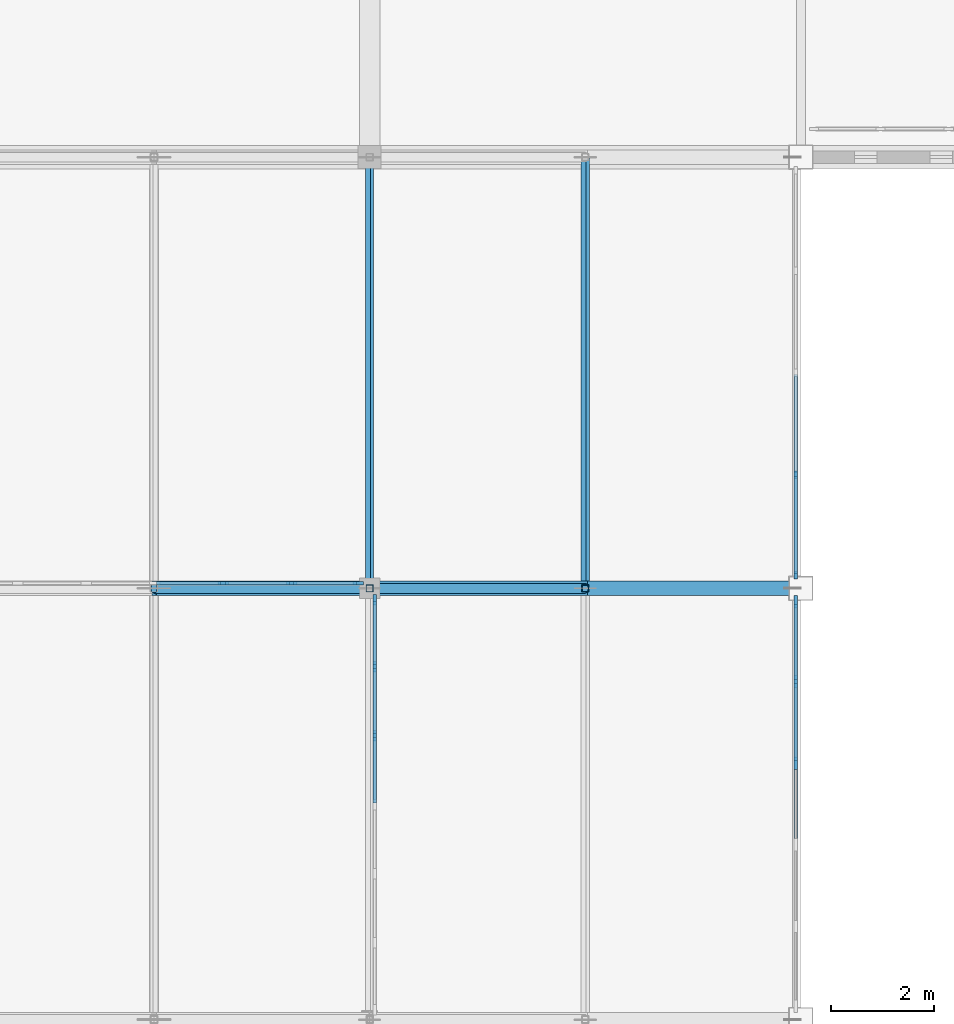
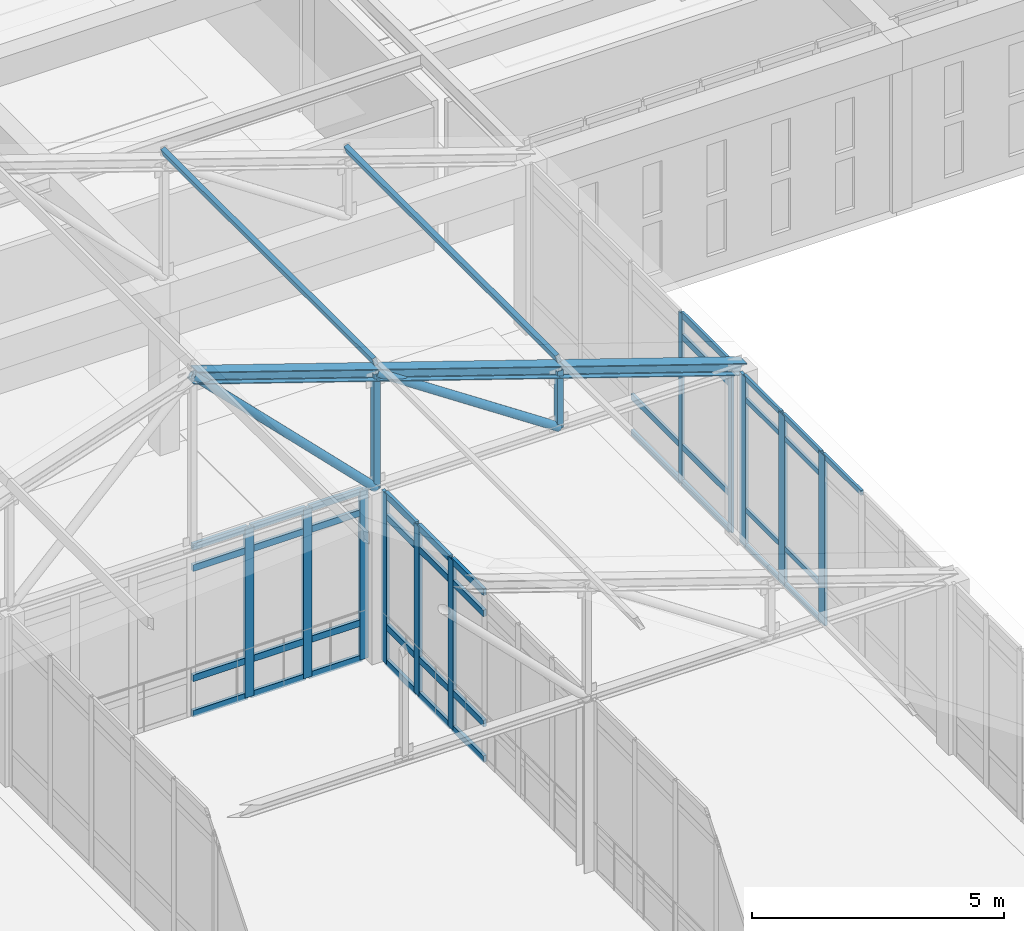
# One storey, part 89 of 192: 59 members, 4 elements without a shape of their own.
"""IFC4 building model written with IfcOpenShell, lengths in metres."""

from ifc_helpers import new_model, si_unit, direction, frame, origin, origin_2d, place, context, subcontext, project, spatial, rectangle, hollow_rectangle, hollow_circle, i_section, extrude, material, layer, layer_set, material_profile, profile_set, type_object, element, aggregate, save


model = new_model("IFC4")

# Units and contexts
model_context = context("Model", 3, precision=1e-05, world=origin(), true_north=direction((0.0, 1.0)))
body_context = subcontext(model_context, "Body", "Model", "MODEL_VIEW")
ifc_project = project(units=[si_unit("LENGTHUNIT", "METRE"), si_unit("AREAUNIT", "SQUARE_METRE"), si_unit("VOLUMEUNIT", "CUBIC_METRE"), si_unit("PLANEANGLEUNIT", "RADIAN"), si_unit("MASSUNIT", "GRAM", prefix="KILO")], contexts=[model_context])

# Site, building, storey
site_placement = place(None, origin())
site = spatial("IfcSite", under=ifc_project, at=site_placement, CompositionType="ELEMENT")
building_placement = place(site_placement, origin())
building = spatial("IfcBuilding", under=site, at=building_placement, Name="Kveldsbrygga Polytechnic", CompositionType="ELEMENT")
storey_placement = place(building_placement, frame((0.0, 0.0, 5.43994140625)))
storey = spatial("IfcBuildingStorey", under=building, at=storey_placement, Name="L01", CompositionType="ELEMENT", Elevation=5.43994140625)

# Curtain wall, members
ifc_material_1 = material(Name="Anodised aluminium AW-6060", Category="aluminium")
ifc_layer_1 = layer(ifc_material_1, 0.199951171875)
ifc_layer_set_1 = layer_set([ifc_layer_1], Name="Anodised aluminium AW-6060")
curtain_wall_type_1 = type_object("IfcCurtainWallType", Name="CW-LANC-E", PredefinedType="USERDEFINED", material=ifc_layer_set_1)
curtain_wall_1_placement = place(storey_placement, origin())
curtain_wall_1 = element("IfcCurtainWall", 1, at=curtain_wall_1_placement, inside=storey, type_object=curtain_wall_type_1, Name="Curtain Wall CW-L01-Y-09-09", ObjectType="UNITISED CURTAIN WALL", PredefinedType="USERDEFINED")
ifc_material_profile_1 = material_profile(ifc_material_1, rectangle(XDim=0.06005859375, YDim=0.139892578125, at=origin_2d()), Name="ALU 60x140")
ifc_profile_set_1 = profile_set([ifc_material_profile_1], Name="Anodised aluminium AW-6060")
member_type_1 = type_object("IfcMemberType", Name="CW-MUL-140", PredefinedType="MULLION", material=ifc_profile_set_1)
member_1_placement = place(storey_placement, frame((75.5, 75.85498046875, 0.0), z_axis=(0.0, 0.0, 1.0), x_axis=(-1.0, 0.0, 0.0)))
member_1 = element("IfcMember", 2, at=member_1_placement, type_object=member_type_1, Name="CW-05 mullion 1", PredefinedType="MULLION", context=body_context, shape_type="SweptSolid", body=[
    extrude(rectangle(XDim=0.06005859375, YDim=0.139892578125, at=origin_2d()), origin(), (0.0, 0.0, 1.0), 4.1201171875),
])
member_2_placement = place(storey_placement, frame((75.5, 77.8125, 0.0), z_axis=(0.0, 0.0, 1.0), x_axis=(-1.0, 0.0, 0.0)))
member_2 = element("IfcMember", 3, at=member_2_placement, type_object=member_type_1, Name="CW-05 mullion 2", PredefinedType="MULLION", context=body_context, shape_type="SweptSolid", body=[
    extrude(rectangle(XDim=0.06005859375, YDim=0.139892578125, at=origin_2d()), origin(), (0.0, 0.0, 1.0), 4.1201171875),
])

ifc_layer_2 = layer(ifc_material_1, 0.159912109375)
ifc_layer_set_2 = layer_set([ifc_layer_2], Name="Anodised aluminium AW-6060")
curtain_wall_type_2 = type_object("IfcCurtainWallType", Name="CW-CLER-C", PredefinedType="USERDEFINED", material=ifc_layer_set_2)
curtain_wall_2_placement = place(storey_placement, origin())
curtain_wall_2 = element("IfcCurtainWall", 4, at=curtain_wall_2_placement, inside=storey, type_object=curtain_wall_type_2, Name="Curtain Wall CW-L01-X-07-09", ObjectType="STICK CURTAIN WALL", PredefinedType="USERDEFINED")
ifc_material_profile_2 = material_profile(ifc_material_1, rectangle(XDim=0.074951171875, YDim=0.199951171875, at=origin_2d()), Name="ALU 75x200")
ifc_profile_set_2 = profile_set([ifc_material_profile_2], Name="Anodised aluminium AW-6060")
member_type_2 = type_object("IfcMemberType", Name="CW-MUL-200", PredefinedType="MULLION", material=ifc_profile_set_2)
member_3_placement = place(storey_placement, frame((64.3466796875, 75.699951171875, 0.0), z_axis=(0.0, 0.0, 1.0), x_axis=(0.0, 1.0, 0.0)))
member_3 = element("IfcMember", 5, at=member_3_placement, type_object=member_type_2, Name="CW-03 mullion 5", PredefinedType="MULLION", context=body_context, shape_type="SweptSolid", body=[
    extrude(rectangle(XDim=0.074951171875, YDim=0.199951171875, at=origin_2d()), origin(), (0.0, 0.0, 1.0), 4.1201171875),
])
member_4_placement = place(storey_placement, frame((65.680908203125, 75.699951171875, 0.0), z_axis=(0.0, 0.0, 1.0), x_axis=(0.0, 1.0, 0.0)))
member_4 = element("IfcMember", 6, at=member_4_placement, type_object=member_type_2, Name="CW-03 mullion 6", PredefinedType="MULLION", context=body_context, shape_type="SweptSolid", body=[
    extrude(rectangle(XDim=0.074951171875, YDim=0.199951171875, at=origin_2d()), origin(), (0.0, 0.0, 1.0), 4.1201171875),
])
member_5_placement = place(storey_placement, frame((66.9775390625, 75.699951171875, 0.0), z_axis=(0.0, 0.0, 1.0), x_axis=(0.0, 1.0, 0.0)))
member_5 = element("IfcMember", 7, at=member_5_placement, type_object=member_type_2, Name="CW-03 mullion 7", PredefinedType="MULLION", context=body_context, shape_type="SweptSolid", body=[
    extrude(rectangle(XDim=0.074951171875, YDim=0.199951171875, at=origin_2d()), origin(), (0.0, 0.0, 1.0), 4.1201171875),
])

curtain_wall_3_placement = place(storey_placement, origin())
curtain_wall_3 = element("IfcCurtainWall", 8, at=curtain_wall_3_placement, inside=storey, type_object=curtain_wall_type_2, Name="Curtain Wall CW-L01-Y-08-08", ObjectType="STICK CURTAIN WALL", PredefinedType="USERDEFINED")
member_6_placement = place(storey_placement, frame((67.300048828125, 72.728271484375, 0.0), z_axis=(0.0, 0.0, 1.0), x_axis=(-1.0, 0.0, 0.0)))
member_6 = element("IfcMember", 9, at=member_6_placement, type_object=member_type_2, Name="CW-03 mullion 5", PredefinedType="MULLION", context=body_context, shape_type="SweptSolid", body=[
    extrude(rectangle(XDim=0.074951171875, YDim=0.199951171875, at=origin_2d()), origin(), (0.0, 0.0, 1.0), 4.1201171875),
])
member_7_placement = place(storey_placement, frame((67.300048828125, 74.07177734375, 0.0), z_axis=(0.0, 0.0, 1.0), x_axis=(-1.0, 0.0, 0.0)))
member_7 = element("IfcMember", 10, at=member_7_placement, type_object=member_type_2, Name="CW-03 mullion 6", PredefinedType="MULLION", context=body_context, shape_type="SweptSolid", body=[
    extrude(rectangle(XDim=0.074951171875, YDim=0.199951171875, at=origin_2d()), origin(), (0.0, 0.0, 1.0), 4.1201171875),
])
member_8_placement = place(storey_placement, frame((67.300048828125, 75.37744140625, 0.0), z_axis=(0.0, 0.0, 1.0), x_axis=(-1.0, 0.0, 0.0)))
member_8 = element("IfcMember", 11, at=member_8_placement, type_object=member_type_2, Name="CW-03 mullion 7", PredefinedType="MULLION", context=body_context, shape_type="SweptSolid", body=[
    extrude(rectangle(XDim=0.074951171875, YDim=0.199951171875, at=origin_2d()), origin(), (0.0, 0.0, 1.0), 4.1201171875),
])

ifc_layer_3 = layer(ifc_material_1, 0.179931640625)
ifc_layer_set_3 = layer_set([ifc_layer_3], Name="Anodised aluminium AW-6060")
curtain_wall_type_3 = type_object("IfcCurtainWallType", Name="CW-LANC-D", PredefinedType="USERDEFINED", material=ifc_layer_set_3)
curtain_wall_4_placement = place(storey_placement, origin())
curtain_wall_4 = element("IfcCurtainWall", 12, at=curtain_wall_4_placement, inside=storey, type_object=curtain_wall_type_3, Name="Curtain Wall CW-L01-Y-09-08", ObjectType="UNITISED CURTAIN WALL", PredefinedType="USERDEFINED")
ifc_material_profile_3 = material_profile(ifc_material_1, rectangle(XDim=0.074951171875, YDim=0.239990234375, at=origin_2d()), Name="ALU 75x240")
ifc_profile_set_3 = profile_set([ifc_material_profile_3], Name="Anodised aluminium AW-6060")
member_type_3 = type_object("IfcMemberType", Name="CW-MUL-240", PredefinedType="MULLION", material=ifc_profile_set_3)
member_9_placement = place(storey_placement, frame((75.5, 72.195068359375, 0.0), z_axis=(0.0, 0.0, 1.0), x_axis=(-1.0, 0.0, 0.0)))
member_9 = element("IfcMember", 13, at=member_9_placement, type_object=member_type_3, Name="CW-04 mullion 4", PredefinedType="MULLION", context=body_context, shape_type="SweptSolid", body=[
    extrude(rectangle(XDim=0.074951171875, YDim=0.239990234375, at=origin_2d()), origin(), (0.0, 0.0, 1.0), 4.1201171875),
])
member_10_placement = place(storey_placement, frame((75.5, 73.784912109375, 0.0), z_axis=(0.0, 0.0, 1.0), x_axis=(-1.0, 0.0, 0.0)))
member_10 = element("IfcMember", 14, at=member_10_placement, type_object=member_type_3, Name="CW-04 mullion 5", PredefinedType="MULLION", context=body_context, shape_type="SweptSolid", body=[
    extrude(rectangle(XDim=0.074951171875, YDim=0.239990234375, at=origin_2d()), origin(), (0.0, 0.0, 1.0), 4.1201171875),
])
member_11_placement = place(storey_placement, frame((75.5, 75.33740234375, 0.0), z_axis=(0.0, 0.0, 1.0), x_axis=(-1.0, 0.0, 0.0)))
member_11 = element("IfcMember", 15, at=member_11_placement, type_object=member_type_3, Name="CW-04 mullion 6", PredefinedType="MULLION", context=body_context, shape_type="SweptSolid", body=[
    extrude(rectangle(XDim=0.074951171875, YDim=0.239990234375, at=origin_2d()), origin(), (0.0, 0.0, 1.0), 4.1201171875),
])
ifc_material_profile_4 = material_profile(ifc_material_1, rectangle(XDim=0.06005859375, YDim=0.1201171875, at=origin_2d()), Name="ALU 60x120")
ifc_profile_set_4 = profile_set([ifc_material_profile_4], Name="Anodised aluminium AW-6060")
member_type_4 = type_object("IfcMemberType", Name="CW-TRN-120", PredefinedType="USERDEFINED", material=ifc_profile_set_4)
member_12_placement = place(storey_placement, frame((75.5, 70.642578125, 4.090087890625), z_axis=(0.0, 1.0, 0.0), x_axis=(-1.0, 0.0, 0.0)))
member_12 = element("IfcMember", 16, at=member_12_placement, type_object=member_type_4, Name="CW-04 transom 3.4", ObjectType="TRANSOM", PredefinedType="USERDEFINED", context=body_context, shape_type="SweptSolid", body=[
    extrude(rectangle(XDim=0.06005859375, YDim=0.1201171875, at=origin_2d()), origin(), (0.0, 0.0, 1.0), 1.514892578125),
])
member_13_placement = place(storey_placement, frame((75.5, 72.232421875, 0.030029296875), z_axis=(0.0, 1.0, 0.0), x_axis=(-1.0, 0.0, 0.0)))
member_13 = element("IfcMember", 17, at=member_13_placement, type_object=member_type_4, Name="CW-04 transom 4.1", ObjectType="TRANSOM", PredefinedType="USERDEFINED", context=body_context, shape_type="SweptSolid", body=[
    extrude(rectangle(XDim=0.06005859375, YDim=0.1201171875, at=origin_2d()), origin(), (0.0, 0.0, 1.0), 1.51513671875),
])
member_14_placement = place(storey_placement, frame((75.5, 72.232421875, 0.900146484375), z_axis=(0.0, 1.0, 0.0), x_axis=(-1.0, 0.0, 0.0)))
member_14 = element("IfcMember", 18, at=member_14_placement, type_object=member_type_4, Name="CW-04 transom 4.2", ObjectType="TRANSOM", PredefinedType="USERDEFINED", context=body_context, shape_type="SweptSolid", body=[
    extrude(rectangle(XDim=0.06005859375, YDim=0.1201171875, at=origin_2d()), origin(), (0.0, 0.0, 1.0), 1.51513671875),
])
member_15_placement = place(storey_placement, frame((75.5, 72.232421875, 3.570068359375), z_axis=(0.0, 1.0, 0.0), x_axis=(-1.0, 0.0, 0.0)))
member_15 = element("IfcMember", 19, at=member_15_placement, type_object=member_type_4, Name="CW-04 transom 4.3", ObjectType="TRANSOM", PredefinedType="USERDEFINED", context=body_context, shape_type="SweptSolid", body=[
    extrude(rectangle(XDim=0.06005859375, YDim=0.1201171875, at=origin_2d()), origin(), (0.0, 0.0, 1.0), 1.51513671875),
])
member_16_placement = place(storey_placement, frame((75.5, 72.232421875, 4.090087890625), z_axis=(0.0, 1.0, 0.0), x_axis=(-1.0, 0.0, 0.0)))
member_16 = element("IfcMember", 20, at=member_16_placement, type_object=member_type_4, Name="CW-04 transom 4.4", ObjectType="TRANSOM", PredefinedType="USERDEFINED", context=body_context, shape_type="SweptSolid", body=[
    extrude(rectangle(XDim=0.06005859375, YDim=0.1201171875, at=origin_2d()), origin(), (0.0, 0.0, 1.0), 1.51513671875),
])
member_17_placement = place(storey_placement, frame((75.5, 73.822509765625, 0.030029296875), z_axis=(0.0, 1.0, 0.0), x_axis=(-1.0, 0.0, 0.0)))
member_17 = element("IfcMember", 21, at=member_17_placement, type_object=member_type_4, Name="CW-04 transom 5.1", ObjectType="TRANSOM", PredefinedType="USERDEFINED", context=body_context, shape_type="SweptSolid", body=[
    extrude(rectangle(XDim=0.06005859375, YDim=0.1201171875, at=origin_2d()), origin(), (0.0, 0.0, 1.0), 1.4775390625),
])
member_18_placement = place(storey_placement, frame((75.5, 73.822509765625, 0.900146484375), z_axis=(0.0, 1.0, 0.0), x_axis=(-1.0, 0.0, 0.0)))
member_18 = element("IfcMember", 22, at=member_18_placement, type_object=member_type_4, Name="CW-04 transom 5.2", ObjectType="TRANSOM", PredefinedType="USERDEFINED", context=body_context, shape_type="SweptSolid", body=[
    extrude(rectangle(XDim=0.06005859375, YDim=0.1201171875, at=origin_2d()), origin(), (0.0, 0.0, 1.0), 1.4775390625),
])
member_19_placement = place(storey_placement, frame((75.5, 73.822509765625, 3.570068359375), z_axis=(0.0, 1.0, 0.0), x_axis=(-1.0, 0.0, 0.0)))
member_19 = element("IfcMember", 23, at=member_19_placement, type_object=member_type_4, Name="CW-04 transom 5.3", ObjectType="TRANSOM", PredefinedType="USERDEFINED", context=body_context, shape_type="SweptSolid", body=[
    extrude(rectangle(XDim=0.06005859375, YDim=0.1201171875, at=origin_2d()), origin(), (0.0, 0.0, 1.0), 1.4775390625),
])
member_20_placement = place(storey_placement, frame((75.5, 73.822509765625, 4.090087890625), z_axis=(0.0, 1.0, 0.0), x_axis=(-1.0, 0.0, 0.0)))
member_20 = element("IfcMember", 24, at=member_20_placement, type_object=member_type_4, Name="CW-04 transom 5.4", ObjectType="TRANSOM", PredefinedType="USERDEFINED", context=body_context, shape_type="SweptSolid", body=[
    extrude(rectangle(XDim=0.06005859375, YDim=0.1201171875, at=origin_2d()), origin(), (0.0, 0.0, 1.0), 1.4775390625),
])
aggregate(curtain_wall_4, [member_9, member_10, member_11, member_12, member_13, member_14, member_15, member_16, member_17, member_18, member_19, member_20])

# Member
ifc_material_profile_5 = material_profile(ifc_material_1, rectangle(XDim=0.06005859375, YDim=0.14990234375, at=origin_2d()), Name="ALU 60x150")
ifc_profile_set_5 = profile_set([ifc_material_profile_5], Name="Anodised aluminium AW-6060")
member_type_5 = type_object("IfcMemberType", Name="CW-TRN-150", PredefinedType="USERDEFINED", material=ifc_profile_set_5)
member_21_placement = place(storey_placement, frame((75.5, 75.885009765625, 0.030029296875), z_axis=(0.0, 1.0, 0.0), x_axis=(-1.0, 0.0, 0.0)))
member_21 = element("IfcMember", 25, at=member_21_placement, type_object=member_type_5, Name="CW-05 transom 1.1", ObjectType="TRANSOM", PredefinedType="USERDEFINED", context=body_context, shape_type="SweptSolid", body=[
    extrude(rectangle(XDim=0.06005859375, YDim=0.14990234375, at=origin_2d()), origin(), (0.0, 0.0, 1.0), 1.8974609375),
])

member_22_placement = place(storey_placement, frame((75.5, 75.885009765625, 0.900146484375), z_axis=(0.0, 1.0, 0.0), x_axis=(-1.0, 0.0, 0.0)))
member_22 = element("IfcMember", 26, at=member_22_placement, type_object=member_type_5, Name="CW-05 transom 1.2", ObjectType="TRANSOM", PredefinedType="USERDEFINED", context=body_context, shape_type="SweptSolid", body=[
    extrude(rectangle(XDim=0.06005859375, YDim=0.14990234375, at=origin_2d()), origin(), (0.0, 0.0, 1.0), 1.8974609375),
])

member_23_placement = place(storey_placement, frame((75.5, 75.885009765625, 3.570068359375), z_axis=(0.0, 1.0, 0.0), x_axis=(-1.0, 0.0, 0.0)))
member_23 = element("IfcMember", 27, at=member_23_placement, type_object=member_type_5, Name="CW-05 transom 1.3", ObjectType="TRANSOM", PredefinedType="USERDEFINED", context=body_context, shape_type="SweptSolid", body=[
    extrude(rectangle(XDim=0.06005859375, YDim=0.14990234375, at=origin_2d()), origin(), (0.0, 0.0, 1.0), 1.8974609375),
])

member_24_placement = place(storey_placement, frame((75.5, 75.885009765625, 4.090087890625), z_axis=(0.0, 1.0, 0.0), x_axis=(-1.0, 0.0, 0.0)))
member_24 = element("IfcMember", 28, at=member_24_placement, type_object=member_type_5, Name="CW-05 transom 1.4", ObjectType="TRANSOM", PredefinedType="USERDEFINED", context=body_context, shape_type="SweptSolid", body=[
    extrude(rectangle(XDim=0.06005859375, YDim=0.14990234375, at=origin_2d()), origin(), (0.0, 0.0, 1.0), 1.8974609375),
])

member_25_placement = place(storey_placement, frame((75.5, 77.842529296875, 0.030029296875), z_axis=(0.0, 1.0, 0.0), x_axis=(-1.0, 0.0, 0.0)))
member_25 = element("IfcMember", 29, at=member_25_placement, type_object=member_type_5, Name="CW-05 transom 2.1", ObjectType="TRANSOM", PredefinedType="USERDEFINED", context=body_context, shape_type="SweptSolid", body=[
    extrude(rectangle(XDim=0.06005859375, YDim=0.14990234375, at=origin_2d()), origin(), (0.0, 0.0, 1.0), 1.927490234375),
])

member_26_placement = place(storey_placement, frame((75.5, 77.842529296875, 0.900146484375), z_axis=(0.0, 1.0, 0.0), x_axis=(-1.0, 0.0, 0.0)))
member_26 = element("IfcMember", 30, at=member_26_placement, type_object=member_type_5, Name="CW-05 transom 2.2", ObjectType="TRANSOM", PredefinedType="USERDEFINED", context=body_context, shape_type="SweptSolid", body=[
    extrude(rectangle(XDim=0.06005859375, YDim=0.14990234375, at=origin_2d()), origin(), (0.0, 0.0, 1.0), 1.927490234375),
])

aggregate(curtain_wall_1, [member_1, member_2, member_21, member_22, member_23, member_24, member_25, member_26])

ifc_material_profile_6 = material_profile(ifc_material_1, rectangle(XDim=0.074951171875, YDim=0.159912109375, at=origin_2d()), Name="ALU 75x160")
ifc_profile_set_6 = profile_set([ifc_material_profile_6], Name="Anodised aluminium AW-6060")
member_type_6 = type_object("IfcMemberType", Name="CW-TRN-160", PredefinedType="USERDEFINED", material=ifc_profile_set_6)
member_27_placement = place(storey_placement, frame((63.050048828125, 75.699951171875, 0.03759765625), z_axis=(1.0, 0.0, 0.0), x_axis=(0.0, 1.0, 0.0)))
member_27 = element("IfcMember", 31, at=member_27_placement, type_object=member_type_6, Name="CW-03 transom 4.1", ObjectType="TRANSOM", PredefinedType="USERDEFINED", context=body_context, shape_type="SweptSolid", body=[
    extrude(rectangle(XDim=0.074951171875, YDim=0.159912109375, at=origin_2d()), origin(), (0.0, 0.0, 1.0), 1.259033203125),
])

member_28_placement = place(storey_placement, frame((63.050048828125, 75.699951171875, 0.900146484375), z_axis=(1.0, 0.0, 0.0), x_axis=(0.0, 1.0, 0.0)))
member_28 = element("IfcMember", 32, at=member_28_placement, type_object=member_type_6, Name="CW-03 transom 4.2", ObjectType="TRANSOM", PredefinedType="USERDEFINED", context=body_context, shape_type="SweptSolid", body=[
    extrude(rectangle(XDim=0.074951171875, YDim=0.159912109375, at=origin_2d()), origin(), (0.0, 0.0, 1.0), 1.259033203125),
])

member_29_placement = place(storey_placement, frame((63.050048828125, 75.699951171875, 3.570068359375), z_axis=(1.0, 0.0, 0.0), x_axis=(0.0, 1.0, 0.0)))
member_29 = element("IfcMember", 33, at=member_29_placement, type_object=member_type_6, Name="CW-03 transom 4.3", ObjectType="TRANSOM", PredefinedType="USERDEFINED", context=body_context, shape_type="SweptSolid", body=[
    extrude(rectangle(XDim=0.074951171875, YDim=0.159912109375, at=origin_2d()), origin(), (0.0, 0.0, 1.0), 1.259033203125),
])

member_30_placement = place(storey_placement, frame((63.050048828125, 75.699951171875, 4.08251953125), z_axis=(1.0, 0.0, 0.0), x_axis=(0.0, 1.0, 0.0)))
member_30 = element("IfcMember", 34, at=member_30_placement, type_object=member_type_6, Name="CW-03 transom 4.4", ObjectType="TRANSOM", PredefinedType="USERDEFINED", context=body_context, shape_type="SweptSolid", body=[
    extrude(rectangle(XDim=0.074951171875, YDim=0.159912109375, at=origin_2d()), origin(), (0.0, 0.0, 1.0), 1.259033203125),
])

member_31_placement = place(storey_placement, frame((64.38427734375, 75.699951171875, 0.03759765625), z_axis=(1.0, 0.0, 0.0), x_axis=(0.0, 1.0, 0.0)))
member_31 = element("IfcMember", 35, at=member_31_placement, type_object=member_type_6, Name="CW-03 transom 5.1", ObjectType="TRANSOM", PredefinedType="USERDEFINED", context=body_context, shape_type="SweptSolid", body=[
    extrude(rectangle(XDim=0.074951171875, YDim=0.159912109375, at=origin_2d()), origin(), (0.0, 0.0, 1.0), 1.259033203125),
])

member_32_placement = place(storey_placement, frame((64.38427734375, 75.699951171875, 0.900146484375), z_axis=(1.0, 0.0, 0.0), x_axis=(0.0, 1.0, 0.0)))
member_32 = element("IfcMember", 36, at=member_32_placement, type_object=member_type_6, Name="CW-03 transom 5.2", ObjectType="TRANSOM", PredefinedType="USERDEFINED", context=body_context, shape_type="SweptSolid", body=[
    extrude(rectangle(XDim=0.074951171875, YDim=0.159912109375, at=origin_2d()), origin(), (0.0, 0.0, 1.0), 1.259033203125),
])

member_33_placement = place(storey_placement, frame((64.38427734375, 75.699951171875, 3.570068359375), z_axis=(1.0, 0.0, 0.0), x_axis=(0.0, 1.0, 0.0)))
member_33 = element("IfcMember", 37, at=member_33_placement, type_object=member_type_6, Name="CW-03 transom 5.3", ObjectType="TRANSOM", PredefinedType="USERDEFINED", context=body_context, shape_type="SweptSolid", body=[
    extrude(rectangle(XDim=0.074951171875, YDim=0.159912109375, at=origin_2d()), origin(), (0.0, 0.0, 1.0), 1.259033203125),
])

member_34_placement = place(storey_placement, frame((64.38427734375, 75.699951171875, 4.08251953125), z_axis=(1.0, 0.0, 0.0), x_axis=(0.0, 1.0, 0.0)))
member_34 = element("IfcMember", 38, at=member_34_placement, type_object=member_type_6, Name="CW-03 transom 5.4", ObjectType="TRANSOM", PredefinedType="USERDEFINED", context=body_context, shape_type="SweptSolid", body=[
    extrude(rectangle(XDim=0.074951171875, YDim=0.159912109375, at=origin_2d()), origin(), (0.0, 0.0, 1.0), 1.259033203125),
])

member_35_placement = place(storey_placement, frame((65.71826171875, 75.699951171875, 0.03759765625), z_axis=(1.0, 0.0, 0.0), x_axis=(0.0, 1.0, 0.0)))
member_35 = element("IfcMember", 39, at=member_35_placement, type_object=member_type_6, Name="CW-03 transom 6.1", ObjectType="TRANSOM", PredefinedType="USERDEFINED", context=body_context, shape_type="SweptSolid", body=[
    extrude(rectangle(XDim=0.074951171875, YDim=0.159912109375, at=origin_2d()), origin(), (0.0, 0.0, 1.0), 1.2216796875),
])

member_36_placement = place(storey_placement, frame((65.71826171875, 75.699951171875, 0.900146484375), z_axis=(1.0, 0.0, 0.0), x_axis=(0.0, 1.0, 0.0)))
member_36 = element("IfcMember", 40, at=member_36_placement, type_object=member_type_6, Name="CW-03 transom 6.2", ObjectType="TRANSOM", PredefinedType="USERDEFINED", context=body_context, shape_type="SweptSolid", body=[
    extrude(rectangle(XDim=0.074951171875, YDim=0.159912109375, at=origin_2d()), origin(), (0.0, 0.0, 1.0), 1.2216796875),
])

member_37_placement = place(storey_placement, frame((65.71826171875, 75.699951171875, 3.570068359375), z_axis=(1.0, 0.0, 0.0), x_axis=(0.0, 1.0, 0.0)))
member_37 = element("IfcMember", 41, at=member_37_placement, type_object=member_type_6, Name="CW-03 transom 6.3", ObjectType="TRANSOM", PredefinedType="USERDEFINED", context=body_context, shape_type="SweptSolid", body=[
    extrude(rectangle(XDim=0.074951171875, YDim=0.159912109375, at=origin_2d()), origin(), (0.0, 0.0, 1.0), 1.2216796875),
])

member_38_placement = place(storey_placement, frame((65.71826171875, 75.699951171875, 4.08251953125), z_axis=(1.0, 0.0, 0.0), x_axis=(0.0, 1.0, 0.0)))
member_38 = element("IfcMember", 42, at=member_38_placement, type_object=member_type_6, Name="CW-03 transom 6.4", ObjectType="TRANSOM", PredefinedType="USERDEFINED", context=body_context, shape_type="SweptSolid", body=[
    extrude(rectangle(XDim=0.074951171875, YDim=0.159912109375, at=origin_2d()), origin(), (0.0, 0.0, 1.0), 1.2216796875),
])

aggregate(curtain_wall_2, [member_3, member_4, member_5, member_27, member_28, member_29, member_30, member_31, member_32, member_33, member_34, member_35, member_36, member_37, member_38])

member_39_placement = place(storey_placement, frame((67.300048828125, 71.422607421875, 0.03759765625), z_axis=(0.0, 1.0, 0.0), x_axis=(-1.0, 0.0, 0.0)))
member_39 = element("IfcMember", 43, at=member_39_placement, type_object=member_type_6, Name="CW-03 transom 4.1", ObjectType="TRANSOM", PredefinedType="USERDEFINED", context=body_context, shape_type="SweptSolid", body=[
    extrude(rectangle(XDim=0.074951171875, YDim=0.159912109375, at=origin_2d()), origin(), (0.0, 0.0, 1.0), 1.268310546875),
])

member_40_placement = place(storey_placement, frame((67.300048828125, 71.422607421875, 0.900146484375), z_axis=(0.0, 1.0, 0.0), x_axis=(-1.0, 0.0, 0.0)))
member_40 = element("IfcMember", 44, at=member_40_placement, type_object=member_type_6, Name="CW-03 transom 4.2", ObjectType="TRANSOM", PredefinedType="USERDEFINED", context=body_context, shape_type="SweptSolid", body=[
    extrude(rectangle(XDim=0.074951171875, YDim=0.159912109375, at=origin_2d()), origin(), (0.0, 0.0, 1.0), 1.268310546875),
])

member_41_placement = place(storey_placement, frame((67.300048828125, 71.422607421875, 3.570068359375), z_axis=(0.0, 1.0, 0.0), x_axis=(-1.0, 0.0, 0.0)))
member_41 = element("IfcMember", 45, at=member_41_placement, type_object=member_type_6, Name="CW-03 transom 4.3", ObjectType="TRANSOM", PredefinedType="USERDEFINED", context=body_context, shape_type="SweptSolid", body=[
    extrude(rectangle(XDim=0.074951171875, YDim=0.159912109375, at=origin_2d()), origin(), (0.0, 0.0, 1.0), 1.268310546875),
])

member_42_placement = place(storey_placement, frame((67.300048828125, 71.422607421875, 4.08251953125), z_axis=(0.0, 1.0, 0.0), x_axis=(-1.0, 0.0, 0.0)))
member_42 = element("IfcMember", 46, at=member_42_placement, type_object=member_type_6, Name="CW-03 transom 4.4", ObjectType="TRANSOM", PredefinedType="USERDEFINED", context=body_context, shape_type="SweptSolid", body=[
    extrude(rectangle(XDim=0.074951171875, YDim=0.159912109375, at=origin_2d()), origin(), (0.0, 0.0, 1.0), 1.268310546875),
])

member_43_placement = place(storey_placement, frame((67.300048828125, 72.765869140625, 0.03759765625), z_axis=(0.0, 1.0, 0.0), x_axis=(-1.0, 0.0, 0.0)))
member_43 = element("IfcMember", 47, at=member_43_placement, type_object=member_type_6, Name="CW-03 transom 5.1", ObjectType="TRANSOM", PredefinedType="USERDEFINED", context=body_context, shape_type="SweptSolid", body=[
    extrude(rectangle(XDim=0.074951171875, YDim=0.159912109375, at=origin_2d()), origin(), (0.0, 0.0, 1.0), 1.268310546875),
])

member_44_placement = place(storey_placement, frame((67.300048828125, 72.765869140625, 0.900146484375), z_axis=(0.0, 1.0, 0.0), x_axis=(-1.0, 0.0, 0.0)))
member_44 = element("IfcMember", 48, at=member_44_placement, type_object=member_type_6, Name="CW-03 transom 5.2", ObjectType="TRANSOM", PredefinedType="USERDEFINED", context=body_context, shape_type="SweptSolid", body=[
    extrude(rectangle(XDim=0.074951171875, YDim=0.159912109375, at=origin_2d()), origin(), (0.0, 0.0, 1.0), 1.268310546875),
])

member_45_placement = place(storey_placement, frame((67.300048828125, 72.765869140625, 3.570068359375), z_axis=(0.0, 1.0, 0.0), x_axis=(-1.0, 0.0, 0.0)))
member_45 = element("IfcMember", 49, at=member_45_placement, type_object=member_type_6, Name="CW-03 transom 5.3", ObjectType="TRANSOM", PredefinedType="USERDEFINED", context=body_context, shape_type="SweptSolid", body=[
    extrude(rectangle(XDim=0.074951171875, YDim=0.159912109375, at=origin_2d()), origin(), (0.0, 0.0, 1.0), 1.268310546875),
])

member_46_placement = place(storey_placement, frame((67.300048828125, 72.765869140625, 4.08251953125), z_axis=(0.0, 1.0, 0.0), x_axis=(-1.0, 0.0, 0.0)))
member_46 = element("IfcMember", 50, at=member_46_placement, type_object=member_type_6, Name="CW-03 transom 5.4", ObjectType="TRANSOM", PredefinedType="USERDEFINED", context=body_context, shape_type="SweptSolid", body=[
    extrude(rectangle(XDim=0.074951171875, YDim=0.159912109375, at=origin_2d()), origin(), (0.0, 0.0, 1.0), 1.268310546875),
])

member_47_placement = place(storey_placement, frame((67.300048828125, 74.109130859375, 0.03759765625), z_axis=(0.0, 1.0, 0.0), x_axis=(-1.0, 0.0, 0.0)))
member_47 = element("IfcMember", 51, at=member_47_placement, type_object=member_type_6, Name="CW-03 transom 6.1", ObjectType="TRANSOM", PredefinedType="USERDEFINED", context=body_context, shape_type="SweptSolid", body=[
    extrude(rectangle(XDim=0.074951171875, YDim=0.159912109375, at=origin_2d()), origin(), (0.0, 0.0, 1.0), 1.23095703125),
])

member_48_placement = place(storey_placement, frame((67.300048828125, 74.109130859375, 0.900146484375), z_axis=(0.0, 1.0, 0.0), x_axis=(-1.0, 0.0, 0.0)))
member_48 = element("IfcMember", 52, at=member_48_placement, type_object=member_type_6, Name="CW-03 transom 6.2", ObjectType="TRANSOM", PredefinedType="USERDEFINED", context=body_context, shape_type="SweptSolid", body=[
    extrude(rectangle(XDim=0.074951171875, YDim=0.159912109375, at=origin_2d()), origin(), (0.0, 0.0, 1.0), 1.23095703125),
])

member_49_placement = place(storey_placement, frame((67.300048828125, 74.109130859375, 3.570068359375), z_axis=(0.0, 1.0, 0.0), x_axis=(-1.0, 0.0, 0.0)))
member_49 = element("IfcMember", 53, at=member_49_placement, type_object=member_type_6, Name="CW-03 transom 6.3", ObjectType="TRANSOM", PredefinedType="USERDEFINED", context=body_context, shape_type="SweptSolid", body=[
    extrude(rectangle(XDim=0.074951171875, YDim=0.159912109375, at=origin_2d()), origin(), (0.0, 0.0, 1.0), 1.23095703125),
])

member_50_placement = place(storey_placement, frame((67.300048828125, 74.109130859375, 4.08251953125), z_axis=(0.0, 1.0, 0.0), x_axis=(-1.0, 0.0, 0.0)))
member_50 = element("IfcMember", 54, at=member_50_placement, type_object=member_type_6, Name="CW-03 transom 6.4", ObjectType="TRANSOM", PredefinedType="USERDEFINED", context=body_context, shape_type="SweptSolid", body=[
    extrude(rectangle(XDim=0.074951171875, YDim=0.159912109375, at=origin_2d()), origin(), (0.0, 0.0, 1.0), 1.23095703125),
])

aggregate(curtain_wall_3, [member_6, member_7, member_8, member_39, member_40, member_41, member_42, member_43, member_44, member_45, member_46, member_47, member_48, member_49, member_50])

# Members
ifc_material_2 = material(Name="Steel S355", Category="steel")
ifc_material_profile_7 = material_profile(ifc_material_2, hollow_rectangle(XDim=0.10009765625, YDim=0.199951171875, WallThickness=0.010009765625, at=origin_2d()), Name="RHS 200x100x10.0")
ifc_profile_set_7 = profile_set([ifc_material_profile_7], Name="Steel S355")
member_type_7 = type_object("IfcMemberType", Name="PRL-RHS200", PredefinedType="PURLIN", material=ifc_profile_set_7)
for number, where, z_axis, x_axis, name in (
    (55, (67.199951171875, 75.60009765625, 7.173095703125), (0.0, 1.0, 0.0), (-0.948683567514, 0.0, -0.316226957624), "Roof Purlin V5C-PRL-9-4"),
    (56, (71.39990234375, 75.60009765625, 5.77294921875), (0.0, 1.0, 0.0), (-0.948683567514, 0.0, -0.316226957624), "Roof Purlin V5C-PRL-9-5"),
):
    element("IfcMember", number, at=place(storey_placement, frame(where, z_axis=z_axis, x_axis=x_axis)), inside=storey, type_object=member_type_7, Name=name, PredefinedType="PURLIN", context=body_context, shape_type="SweptSolid", body=[
        extrude(hollow_rectangle(XDim=0.10009765625, YDim=0.199951171875, WallThickness=0.010009765625, at=origin_2d()), origin(), (0.0, 0.0, 1.0), 8.39990234375),
    ])
ifc_material_profile_8 = material_profile(ifc_material_2, hollow_circle(Radius=0.096923828125, WallThickness=0.010009765625, at=origin_2d()), Name="CHS 193.7x10.0")
ifc_profile_set_8 = profile_set([ifc_material_profile_8], Name="Steel S355")
member_type_8 = type_object("IfcMemberType", Name="TR-DIAG-CHS194", PredefinedType="BRACE", material=ifc_profile_set_8)
member_51_placement = place(storey_placement, frame((63.0, 75.60009765625, 8.320068359375), z_axis=(0.707106781187, 0.0, -0.707106781187), x_axis=(0.0, 1.0, 0.0)))
element("IfcMember", 57, at=member_51_placement, inside=storey, type_object=member_type_8, Name="Truss Diagonal V5C-T09-DG-4", PredefinedType="BRACE", context=body_context, shape_type="SweptSolid", body=[
    extrude(hollow_circle(Radius=0.096923828125, WallThickness=0.010009765625, at=origin_2d()), origin(), (0.0, 0.0, 1.0), 5.939697265625),
])
member_52_placement = place(storey_placement, frame((67.199951171875, 75.60009765625, 6.920166015625), z_axis=(0.832042853317, 0.0, -0.554711357594), x_axis=(0.0, 1.0, 0.0)))
element("IfcMember", 58, at=member_52_placement, inside=storey, type_object=member_type_8, Name="Truss Diagonal V5C-T09-DG-5", PredefinedType="BRACE", context=body_context, shape_type="SweptSolid", body=[
    extrude(hollow_circle(Radius=0.096923828125, WallThickness=0.010009765625, at=origin_2d()), origin(), (0.0, 0.0, 1.0), 5.0478515625),
])
ifc_material_profile_9 = material_profile(ifc_material_2, hollow_rectangle(XDim=0.139892578125, YDim=0.139892578125, WallThickness=0.008056640625, at=origin_2d()), Name="SHS 140x140x8.0")
ifc_profile_set_9 = profile_set([ifc_material_profile_9], Name="Steel S355")
member_type_9 = type_object("IfcMemberType", Name="TR-POST-SHS140", PredefinedType="STRUT", material=ifc_profile_set_9)
member_53_placement = place(storey_placement, frame((67.199951171875, 75.60009765625, 4.1201171875), z_axis=(0.0, 0.0, 1.0), x_axis=(1.0, 0.0, 0.0)))
element("IfcMember", 59, at=member_53_placement, inside=storey, type_object=member_type_9, Name="Truss Vertical V5C-T09-VT-4", PredefinedType="STRUT", context=body_context, shape_type="SweptSolid", body=[
    extrude(hollow_rectangle(XDim=0.139892578125, YDim=0.139892578125, WallThickness=0.008056640625, at=origin_2d()), origin(), (0.0, 0.0, 1.0), 2.800048828125),
])
member_54_placement = place(storey_placement, frame((71.39990234375, 75.60009765625, 4.1201171875), z_axis=(0.0, 0.0, 1.0), x_axis=(1.0, 0.0, 0.0)))
element("IfcMember", 60, at=member_54_placement, inside=storey, type_object=member_type_9, Name="Truss Vertical V5C-T09-VT-5", PredefinedType="STRUT", context=body_context, shape_type="SweptSolid", body=[
    extrude(hollow_rectangle(XDim=0.139892578125, YDim=0.139892578125, WallThickness=0.008056640625, at=origin_2d()), origin(), (0.0, 0.0, 1.0), 1.39990234375),
])
ifc_material_profile_10 = material_profile(ifc_material_2, i_section(OverallWidth=0.280029296875, OverallDepth=0.280029296875, WebThickness=0.010498046875, FlangeThickness=0.01806640625, FilletRadius=0.02392578125, at=origin_2d()), Name="HEB 280")
ifc_profile_set_10 = profile_set([ifc_material_profile_10], Name="Steel S355")
member_type_10 = type_object("IfcMemberType", Name="TR-TOP-HEB280", PredefinedType="CHORD", material=ifc_profile_set_10)
member_55_placement = place(storey_placement, frame((63.0, 75.60009765625, 8.320068359375), z_axis=(0.948688812577, 0.0, -0.316211221956), x_axis=(0.0, 1.0, 0.0)))
element("IfcMember", 61, at=member_55_placement, inside=storey, type_object=member_type_10, Name="Truss Top Chord V5C-T09-TC-4", PredefinedType="CHORD", context=body_context, shape_type="SweptSolid", body=[
    extrude(i_section(OverallWidth=0.280029296875, OverallDepth=0.280029296875, WebThickness=0.010498046875, FlangeThickness=0.01806640625, FilletRadius=0.02392578125, at=origin_2d()), origin(), (0.0, 0.0, 1.0), 4.427001953125),
])
for number, where, z_axis, x_axis, name in (
    (62, (67.199951171875, 75.60009765625, 6.920166015625), (0.948672268324, 0.0, -0.316260853272), (0.0, 1.0, 0.0), "Truss Top Chord V5C-T09-TC-5"),
    (63, (71.39990234375, 75.60009765625, 5.52001953125), (0.948694326238, 0.0, -0.316194679531), (0.0, 1.0, 0.0), "Truss Top Chord V5C-T09-TC-6"),
):
    element("IfcMember", number, at=place(storey_placement, frame(where, z_axis=z_axis, x_axis=x_axis)), inside=storey, type_object=member_type_10, Name=name, PredefinedType="CHORD", context=body_context, shape_type="SweptSolid", body=[
        extrude(i_section(OverallWidth=0.280029296875, OverallDepth=0.280029296875, WebThickness=0.010498046875, FlangeThickness=0.01806640625, FilletRadius=0.02392578125, at=origin_2d()), origin(), (0.0, 0.0, 1.0), 4.42724609375),
    ])

save(model, "model.ifc")
